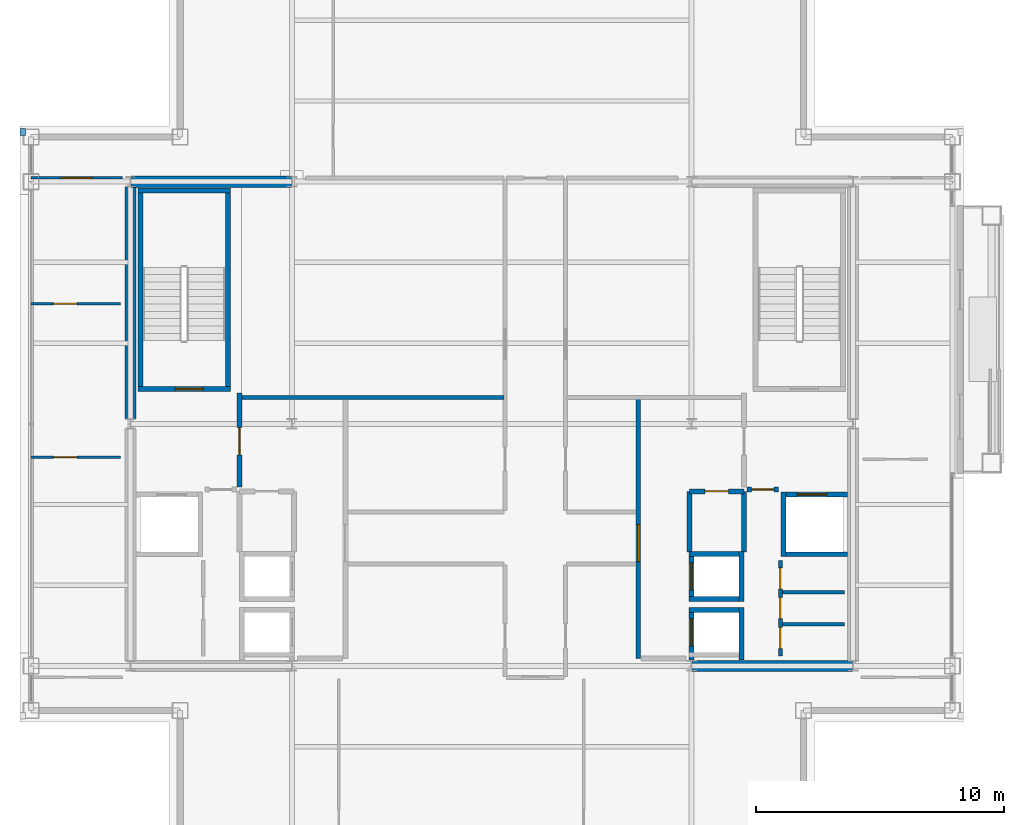
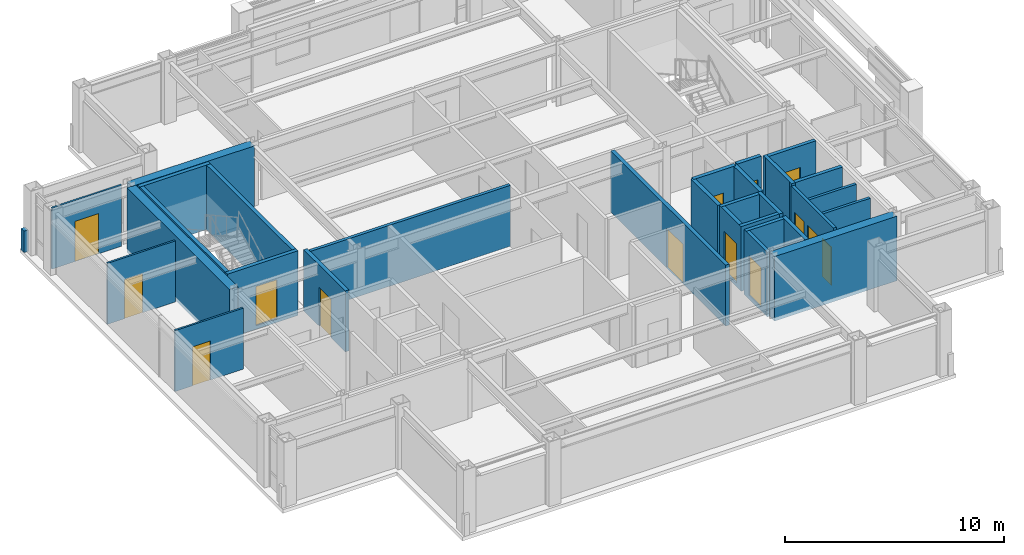
# One storey, part 20 of 24: 31 walls, 14 doors, 14 openings.
"""IFC4 building model written with IfcOpenShell, lengths in metres."""

from ifc_helpers import new_model, si_unit, direction, frame, frame_2d, origin, place, context, subcontext, project, spatial, rectangle, extrude, material, layer, layer_set, type_object, element, fill, save


model = new_model("IFC4")

# Units and contexts
model_context = context("Model", 3, precision=1e-05, world=origin(), true_north=direction((0.0, 1.0)))
body_context = subcontext(model_context, "Body", "Model", "MODEL_VIEW")
ifc_project = project(units=[si_unit("LENGTHUNIT", "METRE"), si_unit("AREAUNIT", "SQUARE_METRE"), si_unit("VOLUMEUNIT", "CUBIC_METRE"), si_unit("PLANEANGLEUNIT", "RADIAN"), si_unit("MASSUNIT", "GRAM", prefix="KILO")], contexts=[model_context])

# Site, building, storey
site_placement = place(None, origin())
site = spatial("IfcSite", under=ifc_project, at=site_placement, CompositionType="ELEMENT")
building_placement = place(site_placement, origin())
building = spatial("IfcBuilding", under=site, at=building_placement, Name="Brelmoor Portico Tower", CompositionType="ELEMENT")
storey_placement = place(building_placement, frame((0.0, 0.0, 240.0)))
storey = spatial("IfcBuildingStorey", under=building, at=storey_placement, Name="L63", CompositionType="ELEMENT", Elevation=240.0)

# Walls
ifc_material_1 = material(Name="Concrete C50", Category="concrete")
ifc_layer_1 = layer(ifc_material_1, 0.449951171875)
ifc_layer_set_1 = layer_set([ifc_layer_1], Name="Concrete C50")
wall_type_1 = type_object("IfcWallType", Name="WL-CORE-450", PredefinedType="SHEAR", material=ifc_layer_set_1)
wall_1_placement = place(storey_placement, frame((-14.530029296875, 9.75, -0.199951171875), z_axis=(0.0, 0.0, 1.0), x_axis=(1.0, 0.0, 0.0)))
element("IfcWall", 1, at=wall_1_placement, inside=storey, type_object=wall_type_1, Name="L63 WC North Shear Wall", PredefinedType="SHEAR", context=body_context, shape_type="SweptSolid", body=[
    extrude(rectangle(XDim=6.4599609375, YDim=0.449951171875, at=frame_2d((3.22998046875, 0.0))), origin(), (0.0, 0.0, 1.0), 3.599853515625),
])
wall_2_placement = place(storey_placement, frame((-14.550048828125, 0.199951171875, -0.199951171875), z_axis=(0.0, 0.0, 1.0), x_axis=(0.0, 1.0, 0.0)))
element("IfcWall", 2, at=wall_2_placement, inside=storey, type_object=wall_type_1, Name="L63 WC Outer North Shear Wall", PredefinedType="SHEAR", context=body_context, shape_type="SweptSolid", body=[
    extrude(rectangle(XDim=9.35009765625, YDim=0.449951171875, at=frame_2d((4.675048828125, 0.0))), origin(), (0.0, 0.0, 1.0), 3.599853515625),
])
wall_3_placement = place(storey_placement, frame((8.070068359375, -9.75, -0.199951171875), z_axis=(0.0, 0.0, 1.0), x_axis=(1.0, 0.0, 0.0)))
element("IfcWall", 3, at=wall_3_placement, inside=storey, type_object=wall_type_1, Name="L63 EC South Shear Wall", PredefinedType="SHEAR", context=body_context, shape_type="SweptSolid", body=[
    extrude(rectangle(XDim=6.4599609375, YDim=0.449951171875, at=frame_2d((3.22998046875, 0.0))), origin(), (0.0, 0.0, 1.0), 3.599853515625),
])
ifc_material_2 = material(Name="Concrete C40 Parapet Upstand", Category="concrete")
ifc_layer_2 = layer(ifc_material_2, 0.219970703125)
ifc_layer_set_2 = layer_set([ifc_layer_2], Name="Concrete C40 Parapet Upstand")
wall_type_2 = type_object("IfcWallType", Name="WL-PARAPET-220", PredefinedType="PARAPET", material=ifc_layer_set_2)
wall_4_placement = place(storey_placement, frame((-18.889892578125, 11.6201171875, 0.0), z_axis=(0.0, 0.0, 1.0), x_axis=(0.0, 1.0, 0.0)))
element("IfcWall", 4, at=wall_4_placement, inside=storey, type_object=wall_type_2, Name="L63 Chamfer Vertex Parapet Pier NW2", PredefinedType="PARAPET", context=body_context, shape_type="SweptSolid", body=[
    extrude(rectangle(XDim=0.269775390625, YDim=0.219970703125, at=frame_2d((0.134765625, 0.0))), origin(), (0.0, 0.0, 1.0), 1.199951171875),
])

# Wall, opening, door
ifc_material_3 = material(Name="Demountable Glazed Office Partition", Category="aluminium")
ifc_layer_3 = layer(ifc_material_3, 0.10009765625)
ifc_layer_set_3 = layer_set([ifc_layer_3], Name="Demountable Glazed Office Partition")
wall_type_3 = type_object("IfcWallType", Name="WL-PART-100", PredefinedType="PARTITIONING", material=ifc_layer_set_3)
wall_5_placement = place(storey_placement, frame((-18.56005859375, 9.89990234375, 0.0), z_axis=(0.0, 0.0, 1.0), x_axis=(1.0, 0.0, 0.0)))
wall_5 = element("IfcWall", 5, at=wall_5_placement, inside=storey, type_object=wall_type_3, Name="L63 North Wing Suite Wall WL", PredefinedType="PARTITIONING", context=body_context, shape_type="SweptSolid", body=[
    extrude(rectangle(XDim=3.68017578125, YDim=0.10009765625, at=frame_2d((1.840087890625, 0.0))), origin(), (0.0, 0.0, 1.0), 3.39990234375),
])
opening_1_placement = place(wall_5_placement, frame((1.219970703125, 0.0, 0.0)))
opening_1 = element("IfcOpeningElement", 6, at=opening_1_placement, cuts=wall_5, Name="Opening D-SU1", PredefinedType="OPENING", context=body_context, shape_type="SweptSolid", body=[
    extrude(rectangle(XDim=1.239990234375, YDim=2.239990234375, at=frame_2d((0.6201171875, 1.1201171875))), frame((0.0, 0.06005859375, 0.0), z_axis=(0.0, -1.0, 0.0), x_axis=(1.0, 0.0, 0.0)), (0.0, 0.0, 1.0), 0.1201171875),
])
ifc_material_4 = material(Name="Glazed Timber Executive Suite Door", Category="wood")
door_type_1 = type_object("IfcDoorType", Name="DR-SUITE-1200", OperationType="NOTDEFINED", PredefinedType="DOOR", material=ifc_material_4)
door_1_placement = place(opening_1_placement, origin())
door_1 = element("IfcDoor", 7, at=door_1_placement, inside=storey, type_object=door_type_1, Name="D-2612 L63 WL Wing Suite Connecting Door", OperationType="SINGLE_SWING_RIGHT", OverallHeight=2.239990234375, OverallWidth=1.239990234375, PredefinedType="DOOR", context=body_context, shape_type="SweptSolid", body=[
    extrude(rectangle(XDim=1.239990234375, YDim=2.239990234375, at=frame_2d((0.6201171875, 1.1201171875))), frame((0.0, 0.02490234375, 0.0), z_axis=(0.0, -1.0, 0.0), x_axis=(1.0, 0.0, 0.0)), (0.0, 0.0, 1.0), 0.050048828125),
])
fill(opening_1, door_1)

wall_6_placement = place(storey_placement, frame((-18.56005859375, -1.35205078125, 0.0), z_axis=(0.0, 0.0, 1.0), x_axis=(1.0, 0.0, 0.0)))
wall_6 = element("IfcWall", 8, at=wall_6_placement, inside=storey, type_object=wall_type_3, Name="L63 W Wing Partition 1", PredefinedType="PARTITIONING", context=body_context, shape_type="SweptSolid", body=[
    extrude(rectangle(XDim=3.60009765625, YDim=0.10009765625, at=frame_2d((1.800048828125, 0.0))), origin(), (0.0, 0.0, 1.0), 3.39990234375),
])
opening_2_placement = place(wall_6_placement, frame((0.89990234375, 0.0, 0.0)))
opening_2 = element("IfcOpeningElement", 9, at=opening_2_placement, cuts=wall_6, Name="Opening D-IN2", PredefinedType="OPENING", context=body_context, shape_type="SweptSolid", body=[
    extrude(rectangle(XDim=0.9599609375, YDim=2.179931640625, at=frame_2d((0.47998046875, 1.08984375))), frame((0.0, 0.06005859375, 0.0), z_axis=(0.0, -1.0, 0.0), x_axis=(1.0, 0.0, 0.0)), (0.0, 0.0, 1.0), 0.1201171875),
])
ifc_material_5 = material(Name="Lacquered Timber Suite Door", Category="wood")
door_type_2 = type_object("IfcDoorType", Name="DR-INT-950", OperationType="NOTDEFINED", PredefinedType="DOOR", material=ifc_material_5)
door_2_placement = place(opening_2_placement, origin())
door_2 = element("IfcDoor", 10, at=door_2_placement, inside=storey, type_object=door_type_2, Name="D-2623 L63 W Wing Suite Connecting Door 1", OperationType="SINGLE_SWING_LEFT", OverallHeight=2.179931640625, OverallWidth=0.9599609375, PredefinedType="DOOR", context=body_context, shape_type="SweptSolid", body=[
    extrude(rectangle(XDim=0.9599609375, YDim=2.179931640625, at=frame_2d((0.47998046875, 1.08984375))), frame((0.0, 0.02490234375, 0.0), z_axis=(0.0, -1.0, 0.0), x_axis=(1.0, 0.0, 0.0)), (0.0, 0.0, 1.0), 0.050048828125),
])
fill(opening_2, door_2)

wall_7_placement = place(storey_placement, frame((-18.56005859375, 4.83251953125, 0.0), z_axis=(0.0, 0.0, 1.0), x_axis=(1.0, 0.0, 0.0)))
wall_7 = element("IfcWall", 11, at=wall_7_placement, inside=storey, type_object=wall_type_3, Name="L63 W Wing Partition 2", PredefinedType="PARTITIONING", context=body_context, shape_type="SweptSolid", body=[
    extrude(rectangle(XDim=3.60009765625, YDim=0.10009765625, at=frame_2d((1.800048828125, 0.0))), origin(), (0.0, 0.0, 1.0), 3.39990234375),
])
opening_3_placement = place(wall_7_placement, frame((0.89990234375, 0.0, 0.0)))
opening_3 = element("IfcOpeningElement", 12, at=opening_3_placement, cuts=wall_7, Name="Opening D-IN2", PredefinedType="OPENING", context=body_context, shape_type="SweptSolid", body=[
    extrude(rectangle(XDim=0.9599609375, YDim=2.179931640625, at=frame_2d((0.47998046875, 1.08984375))), frame((0.0, 0.06005859375, 0.0), z_axis=(0.0, -1.0, 0.0), x_axis=(1.0, 0.0, 0.0)), (0.0, 0.0, 1.0), 0.1201171875),
])
door_3_placement = place(opening_3_placement, origin())
door_3 = element("IfcDoor", 13, at=door_3_placement, inside=storey, type_object=door_type_2, Name="D-2624 L63 W Wing Suite Connecting Door 2", OperationType="SINGLE_SWING_RIGHT", OverallHeight=2.179931640625, OverallWidth=0.9599609375, PredefinedType="DOOR", context=body_context, shape_type="SweptSolid", body=[
    extrude(rectangle(XDim=0.9599609375, YDim=2.179931640625, at=frame_2d((0.47998046875, 1.08984375))), frame((0.0, 0.02490234375, 0.0), z_axis=(0.0, -1.0, 0.0), x_axis=(1.0, 0.0, 0.0)), (0.0, 0.0, 1.0), 0.050048828125),
])
fill(opening_3, door_3)

# Walls
ifc_material_6 = material(Name="Insulated Stud Suite Partition", Category="gypsum")
ifc_layer_4 = layer(ifc_material_6, 0.139892578125)
ifc_layer_set_4 = layer_set([ifc_layer_4], Name="Insulated Stud Suite Partition")
wall_type_4 = type_object("IfcWallType", Name="WL-PART-140", PredefinedType="PARTITIONING", material=ifc_layer_set_4)
for number, where, z_axis, x_axis, name in (
    (14, (11.699951171875, -8.066650390625, 0.0), (0.0, 0.0, 1.0), (1.0, 0.0, 0.0), "L63 E Core WC Divider 1"),
    (15, (11.699951171875, -6.783203125, 0.0), (0.0, 0.0, 1.0), (1.0, 0.0, 0.0), "L63 E Core WC Divider 2"),
):
    element("IfcWall", number, at=place(storey_placement, frame(where, z_axis=z_axis, x_axis=x_axis)), inside=storey, type_object=wall_type_4, Name=name, PredefinedType="PARTITIONING", context=body_context, shape_type="SweptSolid", body=[
        extrude(rectangle(XDim=2.5, YDim=0.139892578125, at=frame_2d((1.25, 0.0))), origin(), (0.0, 0.0, 1.0), 3.39990234375),
    ])

# Wall, openings, doors
ifc_material_7 = material(Name="Twin-Frame Acoustic Partition", Category="gypsum")
ifc_layer_5 = layer(ifc_material_7, 0.159912109375)
ifc_layer_set_5 = layer_set([ifc_layer_5], Name="Twin-Frame Acoustic Partition")
wall_type_5 = type_object("IfcWallType", Name="WL-PART-160", PredefinedType="PARTITIONING", material=ifc_layer_set_5)
wall_8_placement = place(storey_placement, frame((11.6201171875, -9.35009765625, 0.0), z_axis=(0.0, 0.0, 1.0), x_axis=(0.0, 1.0, 0.0)))
wall_8 = element("IfcWall", 16, at=wall_8_placement, inside=storey, type_object=wall_type_5, Name="L63 E Core Service Front Wall", PredefinedType="PARTITIONING", context=body_context, shape_type="SweptSolid", body=[
    extrude(rectangle(XDim=3.85009765625, YDim=0.159912109375, at=frame_2d((1.925048828125, 0.0))), origin(), (0.0, 0.0, 1.0), 3.39990234375),
])
opening_4_placement = place(wall_8_placement, frame((0.300048828125, 0.0, 0.0)))
opening_4 = element("IfcOpeningElement", 17, at=opening_4_placement, cuts=wall_8, Name="Opening D-WC1", PredefinedType="OPENING", context=body_context, shape_type="SweptSolid", body=[
    extrude(rectangle(XDim=0.85009765625, YDim=2.1201171875, at=frame_2d((0.425048828125, 1.06005859375))), frame((0.0, 0.08984375, 0.0), z_axis=(0.0, -1.0, 0.0), x_axis=(1.0, 0.0, 0.0)), (0.0, 0.0, 1.0), 0.179931640625),
])
opening_5_placement = place(wall_8_placement, frame((1.5, 0.0, 0.0)))
opening_5 = element("IfcOpeningElement", 18, at=opening_5_placement, cuts=wall_8, Name="Opening D-WC1", PredefinedType="OPENING", context=body_context, shape_type="SweptSolid", body=[
    extrude(rectangle(XDim=0.85009765625, YDim=2.1201171875, at=frame_2d((0.425048828125, 1.06005859375))), frame((0.0, 0.08984375, 0.0), z_axis=(0.0, -1.0, 0.0), x_axis=(1.0, 0.0, 0.0)), (0.0, 0.0, 1.0), 0.179931640625),
])
opening_6_placement = place(wall_8_placement, frame((2.699951171875, 0.0, 0.0)))
opening_6 = element("IfcOpeningElement", 19, at=opening_6_placement, cuts=wall_8, Name="Opening D-WC1", PredefinedType="OPENING", context=body_context, shape_type="SweptSolid", body=[
    extrude(rectangle(XDim=0.85009765625, YDim=2.1201171875, at=frame_2d((0.425048828125, 1.06005859375))), frame((0.0, 0.08984375, 0.0), z_axis=(0.0, -1.0, 0.0), x_axis=(1.0, 0.0, 0.0)), (0.0, 0.0, 1.0), 0.179931640625),
])
ifc_material_8 = material(Name="Moisture-Resistant Laminate WC Door", Category="timber")
door_type_3 = type_object("IfcDoorType", Name="DR-WC-850", OperationType="NOTDEFINED", PredefinedType="DOOR", material=ifc_material_8)
door_4_placement = place(opening_4_placement, origin())
door_4 = element("IfcDoor", 20, at=door_4_placement, inside=storey, type_object=door_type_3, Name="D-2597 L63 E Male WC Door", OperationType="SINGLE_SWING_LEFT", OverallHeight=2.1201171875, OverallWidth=0.85009765625, PredefinedType="DOOR", context=body_context, shape_type="SweptSolid", body=[
    extrude(rectangle(XDim=0.85009765625, YDim=2.1201171875, at=frame_2d((0.425048828125, 1.06005859375))), frame((0.0, 0.02490234375, 0.0), z_axis=(0.0, -1.0, 0.0), x_axis=(1.0, 0.0, 0.0)), (0.0, 0.0, 1.0), 0.050048828125),
])
fill(opening_4, door_4)
door_5_placement = place(opening_5_placement, origin())
door_5 = element("IfcDoor", 21, at=door_5_placement, inside=storey, type_object=door_type_3, Name="D-2598 L63 E Female WC Door", OperationType="SINGLE_SWING_RIGHT", OverallHeight=2.1201171875, OverallWidth=0.85009765625, PredefinedType="DOOR", context=body_context, shape_type="SweptSolid", body=[
    extrude(rectangle(XDim=0.85009765625, YDim=2.1201171875, at=frame_2d((0.425048828125, 1.06005859375))), frame((0.0, 0.02490234375, 0.0), z_axis=(0.0, -1.0, 0.0), x_axis=(1.0, 0.0, 0.0)), (0.0, 0.0, 1.0), 0.050048828125),
])
fill(opening_5, door_5)
door_6_placement = place(opening_6_placement, origin())
door_6 = element("IfcDoor", 22, at=door_6_placement, inside=storey, type_object=door_type_3, Name="D-2599 L63 E Janitor Store Door", OperationType="SINGLE_SWING_LEFT", OverallHeight=2.1201171875, OverallWidth=0.85009765625, PredefinedType="DOOR", context=body_context, shape_type="SweptSolid", body=[
    extrude(rectangle(XDim=0.85009765625, YDim=2.1201171875, at=frame_2d((0.425048828125, 1.06005859375))), frame((0.0, 0.02490234375, 0.0), z_axis=(0.0, -1.0, 0.0), x_axis=(1.0, 0.0, 0.0)), (0.0, 0.0, 1.0), 0.050048828125),
])
fill(opening_6, door_6)

# Wall
wall_9_placement = place(storey_placement, frame((-10.050048828125, 1.050048828125, 0.0), z_axis=(0.0, 0.0, 1.0), x_axis=(1.0, 0.0, 0.0)))
element("IfcWall", 23, at=wall_9_placement, inside=storey, type_object=wall_type_5, Name="L63 West Reclaimed Suite South Wall", PredefinedType="PARTITIONING", context=body_context, shape_type="SweptSolid", body=[
    extrude(rectangle(XDim=10.5400390625, YDim=0.159912109375, at=frame_2d((5.27001953125, 0.0))), origin(), (0.0, 0.0, 1.0), 3.39990234375),
])

# Wall, opening, door
ifc_material_9 = material(Name="Double-Stud Gypsum Fire Partition", Category="gypsum")
ifc_layer_6 = layer(ifc_material_9, 0.199951171875)
ifc_layer_set_6 = layer_set([ifc_layer_6], Name="Double-Stud Gypsum Fire Partition")
wall_type_6 = type_object("IfcWallType", Name="WL-PART-200", PredefinedType="PARTITIONING", material=ifc_layer_set_6)
wall_10_placement = place(storey_placement, frame((-10.159912109375, -2.550048828125, 0.0), z_axis=(0.0, 0.0, 1.0), x_axis=(0.0, 1.0, 0.0)))
wall_10 = element("IfcWall", 24, at=wall_10_placement, inside=storey, type_object=wall_type_6, Name="L63 W Firefighting Lobby Wall", PredefinedType="PARTITIONING", context=body_context, shape_type="SweptSolid", body=[
    extrude(rectangle(XDim=3.800048828125, YDim=0.199951171875, at=frame_2d((1.89990234375, 0.0))), origin(), (0.0, 0.0, 1.0), 3.39990234375),
])
opening_7_placement = place(wall_10_placement, frame((1.300048828125, 0.0, 0.0)))
opening_7 = element("IfcOpeningElement", 25, at=opening_7_placement, cuts=wall_10, Name="Opening D-FR1", PredefinedType="OPENING", context=body_context, shape_type="SweptSolid", body=[
    extrude(rectangle(XDim=1.10009765625, YDim=2.14990234375, at=frame_2d((0.550048828125, 1.074951171875))), frame((0.0, 0.10986328125, 0.0), z_axis=(0.0, -1.0, 0.0), x_axis=(1.0, 0.0, 0.0)), (0.0, 0.0, 1.0), 0.219970703125),
])
ifc_material_10 = material(Name="Painted Galvanised Steel Fire Door", Category="steel")
door_type_4 = type_object("IfcDoorType", Name="DR-FIRE-1100", OperationType="NOTDEFINED", PredefinedType="DOOR", material=ifc_material_10)
door_7_placement = place(opening_7_placement, origin())
door_7 = element("IfcDoor", 26, at=door_7_placement, inside=storey, type_object=door_type_4, Name="D-2606 L63 W Firefighting Lobby Door", OperationType="SINGLE_SWING_RIGHT", OverallHeight=2.14990234375, OverallWidth=1.10009765625, PredefinedType="DOOR", context=body_context, shape_type="SweptSolid", body=[
    extrude(rectangle(XDim=1.10009765625, YDim=2.14990234375, at=frame_2d((0.550048828125, 1.074951171875))), frame((0.0, 0.02490234375, 0.0), z_axis=(0.0, -1.0, 0.0), x_axis=(1.0, 0.0, 0.0)), (0.0, 0.0, 1.0), 0.050048828125),
])
fill(opening_7, door_7)

wall_11_placement = place(storey_placement, frame((5.89990234375, -9.449951171875, 0.0), z_axis=(0.0, 0.0, 1.0), x_axis=(0.0, 1.0, 0.0)))
wall_11 = element("IfcWall", 27, at=wall_11_placement, inside=storey, type_object=wall_type_6, Name="L63 E Core Lobby Compartment Wall", PredefinedType="PARTITIONING", context=body_context, shape_type="SweptSolid", body=[
    extrude(rectangle(XDim=10.5, YDim=0.199951171875, at=frame_2d((5.25, 0.0))), origin(), (0.0, 0.0, 1.0), 3.39990234375),
])
opening_8_placement = place(wall_11_placement, frame((3.89990234375, 0.0, 0.0)))
opening_8 = element("IfcOpeningElement", 28, at=opening_8_placement, cuts=wall_11, Name="Opening D-LB1", PredefinedType="OPENING", context=body_context, shape_type="SweptSolid", body=[
    extrude(rectangle(XDim=1.5, YDim=2.199951171875, at=frame_2d((0.75, 1.10009765625))), frame((0.0, 0.10986328125, 0.0), z_axis=(0.0, -1.0, 0.0), x_axis=(1.0, 0.0, 0.0)), (0.0, 0.0, 1.0), 0.219970703125),
])
ifc_material_11 = material(Name="Double-Leaf Glazed Steel Fire Door", Category="steel")
door_type_5 = type_object("IfcDoorType", Name="DR-LOBBY-1500", OperationType="NOTDEFINED", PredefinedType="DOOR", material=ifc_material_11)
door_8_placement = place(opening_8_placement, origin())
door_8 = element("IfcDoor", 29, at=door_8_placement, inside=storey, type_object=door_type_5, Name="D-2607 L63 E Lift Lobby Main Door", OperationType="DOUBLE_DOOR_SINGLE_SWING", OverallHeight=2.199951171875, OverallWidth=1.5, PredefinedType="DOOR", context=body_context, shape_type="SweptSolid", body=[
    extrude(rectangle(XDim=1.5, YDim=2.199951171875, at=frame_2d((0.75, 1.10009765625))), frame((0.0, 0.02490234375, 0.0), z_axis=(0.0, -1.0, 0.0), x_axis=(1.0, 0.0, 0.0)), (0.0, 0.0, 1.0), 0.050048828125),
])
fill(opening_8, door_8)

wall_12_placement = place(storey_placement, frame((10.280029296875, -2.64990234375, 0.0), z_axis=(0.0, 0.0, 1.0), x_axis=(1.0, 0.0, 0.0)))
wall_12 = element("IfcWall", 30, at=wall_12_placement, inside=storey, type_object=wall_type_6, Name="L63 E Firefighting Lobby South Wall", PredefinedType="PARTITIONING", context=body_context, shape_type="SweptSolid", body=[
    extrude(rectangle(XDim=1.27001953125, YDim=0.199951171875, at=frame_2d((0.635009765625, 0.0))), origin(), (0.0, 0.0, 1.0), 3.39990234375),
])
opening_9_placement = place(wall_12_placement, frame((0.18505859375, 0.0, 0.0)))
opening_9 = element("IfcOpeningElement", 31, at=opening_9_placement, cuts=wall_12, Name="Opening D-IN1", PredefinedType="OPENING", context=body_context, shape_type="SweptSolid", body=[
    extrude(rectangle(XDim=0.89990234375, YDim=2.14990234375, at=frame_2d((0.449951171875, 1.074951171875))), frame((0.0, 0.10986328125, 0.0), z_axis=(0.0, -1.0, 0.0), x_axis=(1.0, 0.0, 0.0)), (0.0, 0.0, 1.0), 0.219970703125),
])
door_type_6 = type_object("IfcDoorType", Name="DR-INT-900", OperationType="NOTDEFINED", PredefinedType="DOOR", material=ifc_material_5)
door_9_placement = place(opening_9_placement, origin())
door_9 = element("IfcDoor", 32, at=door_9_placement, inside=storey, type_object=door_type_6, Name="D-2600 L63 E Core Service Vestibule Door", OperationType="SINGLE_SWING_LEFT", OverallHeight=2.14990234375, OverallWidth=0.89990234375, PredefinedType="DOOR", context=body_context, shape_type="SweptSolid", body=[
    extrude(rectangle(XDim=0.89990234375, YDim=2.14990234375, at=frame_2d((0.449951171875, 1.074951171875))), frame((0.0, 0.02490234375, 0.0), z_axis=(0.0, -1.0, 0.0), x_axis=(1.0, 0.0, 0.0)), (0.0, 0.0, 1.0), 0.050048828125),
])
fill(opening_9, door_9)

wall_13_placement = place(storey_placement, frame((7.9599609375, -2.719970703125, 0.0), z_axis=(0.0, 0.0, 1.0), x_axis=(1.0, 0.0, 0.0)))
wall_13 = element("IfcWall", 33, at=wall_13_placement, inside=storey, type_object=wall_type_6, Name="L63 E Electrical Switchgear Closet Wall", PredefinedType="PARTITIONING", context=body_context, shape_type="SweptSolid", body=[
    extrude(rectangle(XDim=2.199951171875, YDim=0.199951171875, at=frame_2d((1.10009765625, 0.0))), origin(), (0.0, 0.0, 1.0), 3.39990234375),
])
opening_10_placement = place(wall_13_placement, frame((0.6201171875, 0.0, 0.0)))
opening_10 = element("IfcOpeningElement", 34, at=opening_10_placement, cuts=wall_13, Name="Opening D-FR4", PredefinedType="OPENING", context=body_context, shape_type="SweptSolid", body=[
    extrude(rectangle(XDim=0.949951171875, YDim=2.10009765625, at=frame_2d((0.47509765625, 1.050048828125))), frame((0.0, 0.10986328125, 0.0), z_axis=(0.0, -1.0, 0.0), x_axis=(1.0, 0.0, 0.0)), (0.0, 0.0, 1.0), 0.219970703125),
])
ifc_material_12 = material(Name="Painted Galvanised Steel Riser Door", Category="steel")
door_type_7 = type_object("IfcDoorType", Name="DR-FIRE-950", OperationType="NOTDEFINED", PredefinedType="DOOR", material=ifc_material_12)
door_10_placement = place(opening_10_placement, origin())
door_10 = element("IfcDoor", 35, at=door_10_placement, inside=storey, type_object=door_type_7, Name="D-2603 L63 E Electrical Switchgear Closet Door", OperationType="SINGLE_SWING_RIGHT", OverallHeight=2.10009765625, OverallWidth=0.949951171875, PredefinedType="DOOR", context=body_context, shape_type="SweptSolid", body=[
    extrude(rectangle(XDim=0.949951171875, YDim=2.10009765625, at=frame_2d((0.47509765625, 1.050048828125))), frame((0.0, 0.02490234375, 0.0), z_axis=(0.0, -1.0, 0.0), x_axis=(1.0, 0.0, 0.0)), (0.0, 0.0, 1.0), 0.050048828125),
])
fill(opening_10, door_10)

# Walls
for number, where, z_axis, x_axis, name in (
    (36, (7.9599609375, -5.159912109375, 0.0), (0.0, 0.0, 1.0), (0.0, 1.0, 0.0), "L63 E Electrical Switchgear Closet Inner Wall"),
    (37, (10.159912109375, -5.159912109375, 0.0), (0.0, 0.0, 1.0), (0.0, 1.0, 0.0), "L63 E Electrical Switchgear Closet Outer Wall"),
):
    element("IfcWall", number, at=place(storey_placement, frame(where, z_axis=z_axis, x_axis=x_axis)), inside=storey, type_object=wall_type_6, Name=name, PredefinedType="PARTITIONING", context=body_context, shape_type="SweptSolid", body=[
        extrude(rectangle(XDim=2.43994140625, YDim=0.199951171875, at=frame_2d((1.219970703125, 0.0))), origin(), (0.0, 0.0, 1.0), 3.39990234375),
    ])

# Wall, opening, door
ifc_material_13 = material(Name="Precast Concrete C40", Category="concrete")
ifc_layer_7 = layer(ifc_material_13, 0.18994140625)
ifc_layer_set_7 = layer_set([ifc_layer_7], Name="Precast Concrete C40")
wall_type_7 = type_object("IfcWallType", Name="WL-SHAFT-180", PredefinedType="SOLIDWALL", material=ifc_layer_set_7)
wall_14_placement = place(storey_placement, frame((8.044921875, -9.52001953125, -0.199951171875), z_axis=(0.0, 0.0, 1.0), x_axis=(0.0, 1.0, 0.0)))
wall_14 = element("IfcWall", 38, at=wall_14_placement, inside=storey, type_object=wall_type_7, Name="L63 Lift PH3 Hoistway Front Wall", PredefinedType="SOLIDWALL", context=body_context, shape_type="SweptSolid", body=[
    extrude(rectangle(XDim=2.1201171875, YDim=0.18994140625, at=frame_2d((1.06005859375, 0.0))), origin(), (0.0, 0.0, 1.0), 3.599853515625),
])
opening_11_placement = place(wall_14_placement, frame((0.570068359375, 0.0, 0.199951171875)))
opening_11 = element("IfcOpeningElement", 39, at=opening_11_placement, cuts=wall_14, Name="Opening LD-01", PredefinedType="OPENING", context=body_context, shape_type="SweptSolid", body=[
    extrude(rectangle(XDim=1.10009765625, YDim=2.199951171875, at=frame_2d((0.550048828125, 1.10009765625))), frame((0.0, 0.10498046875, 0.0), z_axis=(0.0, -1.0, 0.0), x_axis=(1.0, 0.0, 0.0)), (0.0, 0.0, 1.0), 0.2099609375),
])
ifc_material_14 = material(Name="Brushed Stainless Steel Sliding Lift Door", Category="steel")
door_type_8 = type_object("IfcDoorType", Name="DR-LIFT-1100", OperationType="NOTDEFINED", PredefinedType="DOOR", material=ifc_material_14)
door_11_placement = place(opening_11_placement, origin())
door_11 = element("IfcDoor", 40, at=door_11_placement, inside=storey, type_object=door_type_8, Name="D-2629 L63 Lift PH3 Sliding Landing Door", OperationType="SLIDING_TO_LEFT", OverallHeight=2.199951171875, OverallWidth=1.10009765625, PredefinedType="DOOR", context=body_context, shape_type="SweptSolid", body=[
    extrude(rectangle(XDim=1.10009765625, YDim=2.199951171875, at=frame_2d((0.550048828125, 1.10009765625))), frame((0.0, 0.02490234375, 0.0), z_axis=(0.0, -1.0, 0.0), x_axis=(1.0, 0.0, 0.0)), (0.0, 0.0, 1.0), 0.050048828125),
])
fill(opening_11, door_11)

# Walls
wall_15_placement = place(storey_placement, frame((10.054931640625, -9.52001953125, -0.199951171875), z_axis=(0.0, 0.0, 1.0), x_axis=(0.0, 1.0, 0.0)))
element("IfcWall", 41, at=wall_15_placement, inside=storey, type_object=wall_type_7, Name="L63 Lift PH3 Hoistway Back Wall", PredefinedType="SOLIDWALL", context=body_context, shape_type="SweptSolid", body=[
    extrude(rectangle(XDim=2.1201171875, YDim=0.18994140625, at=frame_2d((1.06005859375, 0.0))), origin(), (0.0, 0.0, 1.0), 3.599853515625),
])
wall_16_placement = place(storey_placement, frame((7.949951171875, -7.4951171875, -0.199951171875), z_axis=(0.0, 0.0, 1.0), x_axis=(1.0, 0.0, 0.0)))
element("IfcWall", 42, at=wall_16_placement, inside=storey, type_object=wall_type_7, Name="L63 Lift PH3 Hoistway North Wall", PredefinedType="SOLIDWALL", context=body_context, shape_type="SweptSolid", body=[
    extrude(rectangle(XDim=2.199951171875, YDim=0.18994140625, at=frame_2d((1.10009765625, 0.0))), origin(), (0.0, 0.0, 1.0), 3.599853515625),
])

# Wall, opening, door
wall_17_placement = place(storey_placement, frame((8.044921875, -7.14990234375, -0.199951171875), z_axis=(0.0, 0.0, 1.0), x_axis=(0.0, 1.0, 0.0)))
wall_17 = element("IfcWall", 43, at=wall_17_placement, inside=storey, type_object=wall_type_7, Name="L63 Lift PH4 Hoistway Front Wall", PredefinedType="SOLIDWALL", context=body_context, shape_type="SweptSolid", body=[
    extrude(rectangle(XDim=2.0, YDim=0.18994140625, at=frame_2d((1.0, 0.0))), origin(), (0.0, 0.0, 1.0), 3.599853515625),
])
opening_12_placement = place(wall_17_placement, frame((0.449951171875, 0.0, 0.199951171875)))
opening_12 = element("IfcOpeningElement", 44, at=opening_12_placement, cuts=wall_17, Name="Opening LD-01", PredefinedType="OPENING", context=body_context, shape_type="SweptSolid", body=[
    extrude(rectangle(XDim=1.10009765625, YDim=2.199951171875, at=frame_2d((0.550048828125, 1.10009765625))), frame((0.0, 0.10498046875, 0.0), z_axis=(0.0, -1.0, 0.0), x_axis=(1.0, 0.0, 0.0)), (0.0, 0.0, 1.0), 0.2099609375),
])
door_12_placement = place(opening_12_placement, origin())
door_12 = element("IfcDoor", 45, at=door_12_placement, inside=storey, type_object=door_type_8, Name="D-2630 L63 Lift PH4 Sliding Landing Door", OperationType="SLIDING_TO_LEFT", OverallHeight=2.199951171875, OverallWidth=1.10009765625, PredefinedType="DOOR", context=body_context, shape_type="SweptSolid", body=[
    extrude(rectangle(XDim=1.10009765625, YDim=2.199951171875, at=frame_2d((0.550048828125, 1.10009765625))), frame((0.0, 0.02490234375, 0.0), z_axis=(0.0, -1.0, 0.0), x_axis=(1.0, 0.0, 0.0)), (0.0, 0.0, 1.0), 0.050048828125),
])
fill(opening_12, door_12)

# Walls
wall_18_placement = place(storey_placement, frame((10.054931640625, -7.14990234375, -0.199951171875), z_axis=(0.0, 0.0, 1.0), x_axis=(0.0, 1.0, 0.0)))
element("IfcWall", 46, at=wall_18_placement, inside=storey, type_object=wall_type_7, Name="L63 Lift PH4 Hoistway Back Wall", PredefinedType="SOLIDWALL", context=body_context, shape_type="SweptSolid", body=[
    extrude(rectangle(XDim=2.0, YDim=0.18994140625, at=frame_2d((1.0, 0.0))), origin(), (0.0, 0.0, 1.0), 3.599853515625),
])
for number, where, z_axis, x_axis, name in (
    (47, (7.949951171875, -5.2451171875, -0.199951171875), (0.0, 0.0, 1.0), (1.0, 0.0, 0.0), "L63 Lift PH4 Hoistway North Wall"),
    (48, (7.949951171875, -7.054931640625, -0.199951171875), (0.0, 0.0, 1.0), (1.0, 0.0, 0.0), "L63 Lift PH4 Hoistway South Wall"),
):
    element("IfcWall", number, at=place(storey_placement, frame(where, z_axis=z_axis, x_axis=x_axis)), inside=storey, type_object=wall_type_7, Name=name, PredefinedType="SOLIDWALL", context=body_context, shape_type="SweptSolid", body=[
        extrude(rectangle(XDim=2.199951171875, YDim=0.18994140625, at=frame_2d((1.10009765625, 0.0))), origin(), (0.0, 0.0, 1.0), 3.599853515625),
    ])

# Wall, opening, door
wall_19_placement = place(storey_placement, frame((11.64990234375, -2.844970703125, -0.199951171875), z_axis=(0.0, 0.0, 1.0), x_axis=(1.0, 0.0, 0.0)))
wall_19 = element("IfcWall", 49, at=wall_19_placement, inside=storey, type_object=wall_type_7, Name="L63 Lift FF2 Hoistway Front Wall", PredefinedType="SOLIDWALL", context=body_context, shape_type="SweptSolid", body=[
    extrude(rectangle(XDim=2.68017578125, YDim=0.18994140625, at=frame_2d((1.340087890625, 0.0))), origin(), (0.0, 0.0, 1.0), 3.599853515625),
])
opening_13_placement = place(wall_19_placement, frame((0.64990234375, 0.0, 0.199951171875)))
opening_13 = element("IfcOpeningElement", 50, at=opening_13_placement, cuts=wall_19, Name="Opening LD-02", PredefinedType="OPENING", context=body_context, shape_type="SweptSolid", body=[
    extrude(rectangle(XDim=1.199951171875, YDim=2.199951171875, at=frame_2d((0.60009765625, 1.10009765625))), frame((0.0, 0.10498046875, 0.0), z_axis=(0.0, -1.0, 0.0), x_axis=(1.0, 0.0, 0.0)), (0.0, 0.0, 1.0), 0.2099609375),
])
ifc_material_15 = material(Name="Brushed Stainless Steel Firefighting Lift Door", Category="steel")
door_type_9 = type_object("IfcDoorType", Name="DR-LIFT-1200", OperationType="NOTDEFINED", PredefinedType="DOOR", material=ifc_material_15)
door_13_placement = place(opening_13_placement, origin())
door_13 = element("IfcDoor", 51, at=door_13_placement, inside=storey, type_object=door_type_9, Name="D-2626 L63 Lift FF2 Sliding Landing Door", OperationType="SLIDING_TO_LEFT", OverallHeight=2.199951171875, OverallWidth=1.199951171875, PredefinedType="DOOR", context=body_context, shape_type="SweptSolid", body=[
    extrude(rectangle(XDim=1.199951171875, YDim=2.199951171875, at=frame_2d((0.60009765625, 1.10009765625))), frame((0.0, 0.02490234375, 0.0), z_axis=(0.0, -1.0, 0.0), x_axis=(1.0, 0.0, 0.0)), (0.0, 0.0, 1.0), 0.050048828125),
])
fill(opening_13, door_13)

# Walls
wall_20_placement = place(storey_placement, frame((11.64990234375, -5.2548828125, -0.199951171875), z_axis=(0.0, 0.0, 1.0), x_axis=(1.0, 0.0, 0.0)))
element("IfcWall", 52, at=wall_20_placement, inside=storey, type_object=wall_type_7, Name="L63 Firefighting Lift FF2 South Wall", PredefinedType="SOLIDWALL", context=body_context, shape_type="SweptSolid", body=[
    extrude(rectangle(XDim=2.68017578125, YDim=0.18994140625, at=frame_2d((1.340087890625, 0.0))), origin(), (0.0, 0.0, 1.0), 3.599853515625),
])
wall_21_placement = place(storey_placement, frame((11.7451171875, -5.35009765625, -0.199951171875), z_axis=(0.0, 0.0, 1.0), x_axis=(0.0, 1.0, 0.0)))
element("IfcWall", 53, at=wall_21_placement, inside=storey, type_object=wall_type_7, Name="L63 Firefighting Lift FF2 Inner Wall", PredefinedType="SOLIDWALL", context=body_context, shape_type="SweptSolid", body=[
    extrude(rectangle(XDim=2.60009765625, YDim=0.18994140625, at=frame_2d((1.300048828125, 0.0))), origin(), (0.0, 0.0, 1.0), 3.599853515625),
])
ifc_material_16 = material(Name="Concrete C40", Category="concrete")
ifc_layer_8 = layer(ifc_material_16, 0.199951171875)
ifc_layer_set_8 = layer_set([ifc_layer_8], Name="Concrete C40")
wall_type_8 = type_object("IfcWallType", Name="WL-SHAFT-RC200", PredefinedType="SOLIDWALL", material=ifc_layer_set_8)
wall_22_placement = place(storey_placement, frame((-14.14990234375, 1.5, -0.199951171875), z_axis=(0.0, 0.0, 1.0), x_axis=(0.0, 1.0, 0.0)))
element("IfcWall", 54, at=wall_22_placement, inside=storey, type_object=wall_type_8, Name="L63 ST-W Structural Stair Wall Outer", PredefinedType="SOLIDWALL", context=body_context, shape_type="SweptSolid", body=[
    extrude(rectangle(XDim=7.800048828125, YDim=0.199951171875, at=frame_2d((3.89990234375, 0.0))), origin(), (0.0, 0.0, 1.0), 3.599853515625),
])

# Wall, opening, door
wall_23_placement = place(storey_placement, frame((-14.25, 1.39990234375, -0.199951171875), z_axis=(0.0, 0.0, 1.0), x_axis=(1.0, 0.0, 0.0)))
wall_23 = element("IfcWall", 55, at=wall_23_placement, inside=storey, type_object=wall_type_8, Name="L63 ST-W Structural Stair Wall S", PredefinedType="SOLIDWALL", context=body_context, shape_type="SweptSolid", body=[
    extrude(rectangle(XDim=3.719970703125, YDim=0.199951171875, at=frame_2d((1.85986328125, 0.0))), origin(), (0.0, 0.0, 1.0), 3.599853515625),
])
opening_14_placement = place(wall_23_placement, frame((1.5, 0.0, 0.199951171875)))
opening_14 = element("IfcOpeningElement", 56, at=opening_14_placement, cuts=wall_23, Name="Opening D-ST1", PredefinedType="OPENING", context=body_context, shape_type="SweptSolid", body=[
    extrude(rectangle(XDim=1.1201171875, YDim=2.179931640625, at=frame_2d((0.56005859375, 1.08984375))), frame((0.0, 0.10986328125, 0.0), z_axis=(0.0, -1.0, 0.0), x_axis=(1.0, 0.0, 0.0)), (0.0, 0.0, 1.0), 0.219970703125),
])
door_type_10 = type_object("IfcDoorType", Name="DR-STAIR-1100", OperationType="NOTDEFINED", PredefinedType="DOOR", material=ifc_material_10)
door_14_placement = place(opening_14_placement, origin())
door_14 = element("IfcDoor", 57, at=door_14_placement, inside=storey, type_object=door_type_10, Name="D-2617 L63 ST-W Protected Exit Stair Door", OperationType="SINGLE_SWING_LEFT", OverallHeight=2.179931640625, OverallWidth=1.1201171875, PredefinedType="DOOR", context=body_context, shape_type="SweptSolid", body=[
    extrude(rectangle(XDim=1.1201171875, YDim=2.179931640625, at=frame_2d((0.56005859375, 1.08984375))), frame((0.0, 0.02490234375, 0.0), z_axis=(0.0, -1.0, 0.0), x_axis=(1.0, 0.0, 0.0)), (0.0, 0.0, 1.0), 0.050048828125),
])
fill(opening_14, door_14)

# Walls
wall_24_placement = place(storey_placement, frame((-14.25, 9.39990234375, -0.199951171875), z_axis=(0.0, 0.0, 1.0), x_axis=(1.0, 0.0, 0.0)))
element("IfcWall", 58, at=wall_24_placement, inside=storey, type_object=wall_type_8, Name="L63 ST-W Structural Stair Wall N", PredefinedType="SOLIDWALL", context=body_context, shape_type="SweptSolid", body=[
    extrude(rectangle(XDim=3.719970703125, YDim=0.199951171875, at=frame_2d((1.85986328125, 0.0))), origin(), (0.0, 0.0, 1.0), 3.599853515625),
])
wall_25_placement = place(storey_placement, frame((-10.6298828125, 1.5, -0.199951171875), z_axis=(0.0, 0.0, 1.0), x_axis=(0.0, 1.0, 0.0)))
element("IfcWall", 59, at=wall_25_placement, inside=storey, type_object=wall_type_8, Name="L63 ST-W Structural Stair Wall Inner", PredefinedType="SOLIDWALL", context=body_context, shape_type="SweptSolid", body=[
    extrude(rectangle(XDim=7.800048828125, YDim=0.199951171875, at=frame_2d((3.89990234375, 0.0))), origin(), (0.0, 0.0, 1.0), 3.599853515625),
])

save(model, "model.ifc")
